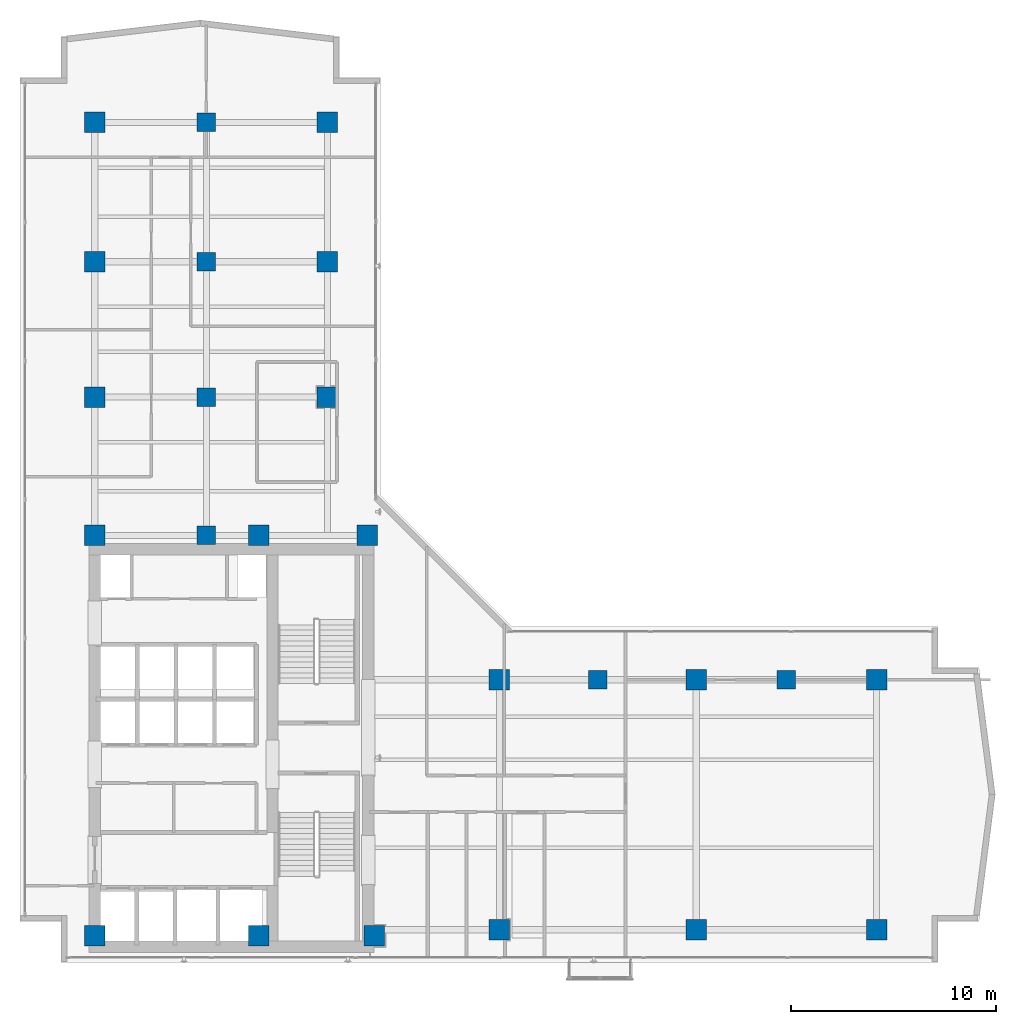
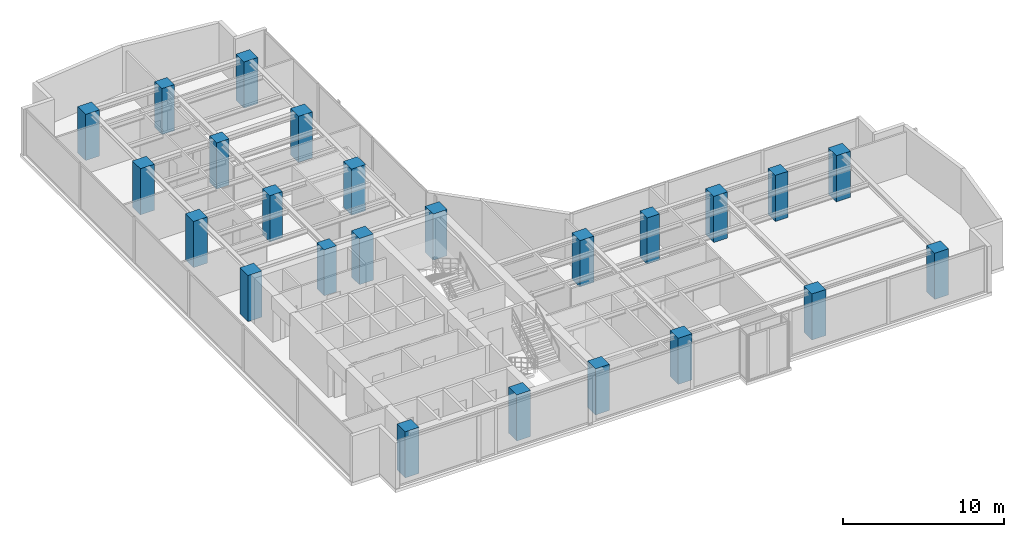
# One storey, part 1 of 22: 24 columns.
"""IFC4 building model written with IfcOpenShell, lengths in metres."""

from ifc_helpers import new_model, si_unit, direction, frame, origin, origin_2d, place, context, subcontext, project, spatial, rectangle, extrude, material, material_profile, profile_set, type_object, element, save


model = new_model("IFC4")

# Units and contexts
model_context = context("Model", 3, precision=1e-05, world=origin(), true_north=direction((0.0, 1.0)))
body_context = subcontext(model_context, "Body", "Model", "MODEL_VIEW")
ifc_project = project(units=[si_unit("LENGTHUNIT", "METRE"), si_unit("AREAUNIT", "SQUARE_METRE"), si_unit("VOLUMEUNIT", "CUBIC_METRE"), si_unit("PLANEANGLEUNIT", "RADIAN"), si_unit("MASSUNIT", "GRAM", prefix="KILO")], contexts=[model_context])

# Site, building, storey
site_placement = place(None, origin())
site = spatial("IfcSite", under=ifc_project, at=site_placement, CompositionType="ELEMENT")
building_placement = place(site_placement, origin())
building = spatial("IfcBuilding", under=site, at=building_placement, Name="Kolvaren Waterfront Exchange", CompositionType="ELEMENT")
storey_placement = place(building_placement, frame((0.0, 0.0, 219.699951171875)))
storey = spatial("IfcBuildingStorey", under=building, at=storey_placement, Name="L56", CompositionType="ELEMENT", Elevation=219.699951171875)

# Columns
ifc_material = material(Name="Concrete C50/60", Category="concrete")
ifc_material_profile_1 = material_profile(ifc_material, rectangle(XDim=1.0, YDim=1.0, at=origin_2d()), Name="RC-COL-1000x1000")
ifc_profile_set_1 = profile_set([ifc_material_profile_1], Name="Concrete C50/60")
column_type_1 = type_object("IfcColumnType", Name="STR-COL-1000-C50", PredefinedType="COLUMN", material=ifc_profile_set_1)
for number, where, z_axis, x_axis, name in (
    (1, (7.449951171875, 4.89990234375, 0.0), (0.0, 0.0, 1.0), (1.0, 0.0, 0.0), "L56 column MC01"),
    (2, (15.449951171875, 4.89990234375, 0.0), (0.0, 0.0, 1.0), (1.0, 0.0, 0.0), "L56 column MC02"),
    (3, (21.10009765625, 4.89990234375, 0.0), (0.0, 0.0, 1.0), (1.0, 0.0, 0.0), "L56 column MC03"),
    (4, (7.449951171875, 24.449951171875, 0.0), (0.0, 0.0, 1.0), (1.0, 0.0, 0.0), "L56 column MC04"),
    (5, (15.449951171875, 24.449951171875, 0.0), (0.0, 0.0, 1.0), (1.0, 0.0, 0.0), "L56 column MC05"),
    (6, (20.75, 24.449951171875, 0.0), (0.0, 0.0, 1.0), (1.0, 0.0, 0.0), "L56 column MC06"),
    (7, (7.449951171875, 31.199951171875, 0.0), (0.0, 0.0, 1.0), (1.0, 0.0, 0.0), "L56 column NC01"),
    (8, (7.449951171875, 37.800048828125, 0.0), (0.0, 0.0, 1.0), (1.0, 0.0, 0.0), "L56 column NC02"),
    (9, (7.449951171875, 44.60009765625, 0.0), (0.0, 0.0, 1.0), (1.0, 0.0, 0.0), "L56 column NC03"),
    (10, (18.800048828125, 31.199951171875, 0.0), (0.0, 0.0, 1.0), (1.0, 0.0, 0.0), "L56 column NC04"),
    (11, (18.800048828125, 37.800048828125, 0.0), (0.0, 0.0, 1.0), (1.0, 0.0, 0.0), "L56 column NC05"),
    (12, (18.800048828125, 44.60009765625, 0.0), (0.0, 0.0, 1.0), (1.0, 0.0, 0.0), "L56 column NC06"),
    (13, (27.199951171875, 5.199951171875, 0.0), (0.0, 0.0, 1.0), (1.0, 0.0, 0.0), "L56 column EC01"),
    (14, (36.800048828125, 5.199951171875, 0.0), (0.0, 0.0, 1.0), (1.0, 0.0, 0.0), "L56 column EC02"),
    (15, (45.60009765625, 5.199951171875, 0.0), (0.0, 0.0, 1.0), (1.0, 0.0, 0.0), "L56 column EC03"),
    (16, (27.199951171875, 17.39990234375, 0.0), (0.0, 0.0, 1.0), (1.0, 0.0, 0.0), "L56 column EC04"),
    (17, (36.800048828125, 17.39990234375, 0.0), (0.0, 0.0, 1.0), (1.0, 0.0, 0.0), "L56 column EC05"),
    (18, (45.60009765625, 17.39990234375, 0.0), (0.0, 0.0, 1.0), (1.0, 0.0, 0.0), "L56 column EC06"),
):
    element("IfcColumn", number, at=place(storey_placement, frame(where, z_axis=z_axis, x_axis=x_axis)), inside=storey, type_object=column_type_1, Name=name, PredefinedType="COLUMN", context=body_context, shape_type="SweptSolid", body=[
        extrude(rectangle(XDim=1.0, YDim=1.0, at=origin_2d()), origin(), (0.0, 0.0, 1.0), 3.5),
    ])
ifc_material_profile_2 = material_profile(ifc_material, rectangle(XDim=0.89990234375, YDim=0.89990234375, at=origin_2d()), Name="RC-COL-900x900")
ifc_profile_set_2 = profile_set([ifc_material_profile_2], Name="Concrete C50/60")
column_type_2 = type_object("IfcColumnType", Name="STR-COL-900-C50", PredefinedType="COLUMN", material=ifc_profile_set_2)
for number, where, z_axis, x_axis, name in (
    (19, (12.89990234375, 24.449951171875, 0.0), (0.0, 0.0, 1.0), (1.0, 0.0, 0.0), "L56 column TC01"),
    (20, (12.89990234375, 31.199951171875, 0.0), (0.0, 0.0, 1.0), (1.0, 0.0, 0.0), "L56 column TC02"),
    (21, (12.89990234375, 37.800048828125, 0.0), (0.0, 0.0, 1.0), (1.0, 0.0, 0.0), "L56 column TC03"),
    (22, (12.89990234375, 44.60009765625, 0.0), (0.0, 0.0, 1.0), (1.0, 0.0, 0.0), "L56 column TC04"),
    (23, (32.0, 17.39990234375, 0.0), (0.0, 0.0, 1.0), (1.0, 0.0, 0.0), "L56 column TC05"),
    (24, (41.199951171875, 17.39990234375, 0.0), (0.0, 0.0, 1.0), (1.0, 0.0, 0.0), "L56 column TC06"),
):
    element("IfcColumn", number, at=place(storey_placement, frame(where, z_axis=z_axis, x_axis=x_axis)), inside=storey, type_object=column_type_2, Name=name, PredefinedType="COLUMN", context=body_context, shape_type="SweptSolid", body=[
        extrude(rectangle(XDim=0.89990234375, YDim=0.89990234375, at=origin_2d()), origin(), (0.0, 0.0, 1.0), 3.5),
    ])

save(model, "model.ifc")
